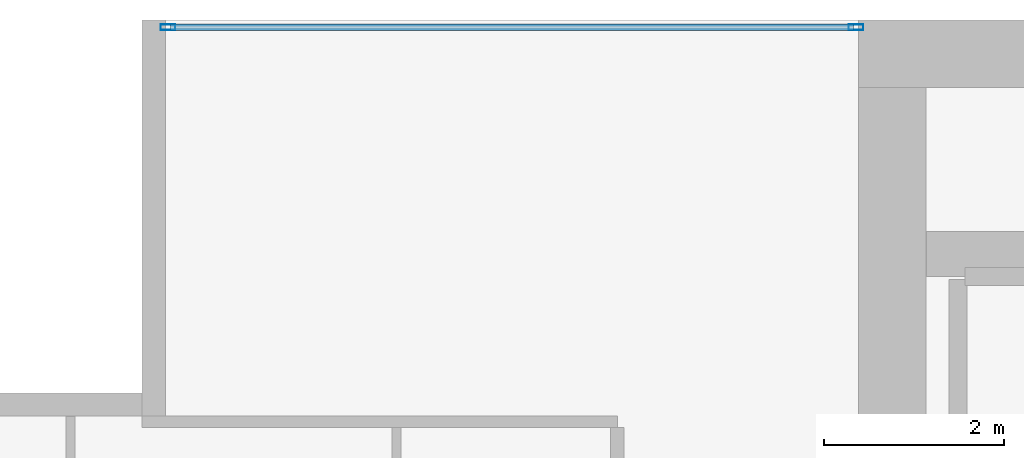
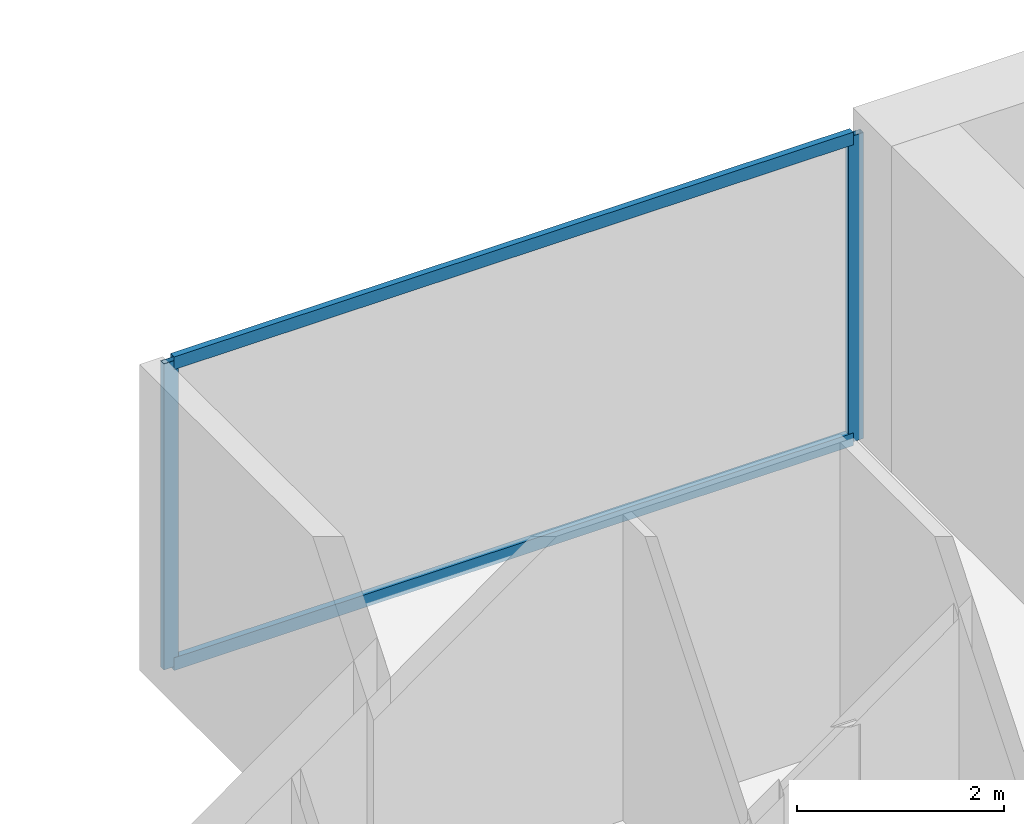
# One storey, part 22 of 33: 4 members, 1 element without a shape of its own.
"""IFC4 building model written with IfcOpenShell, lengths in metres."""

from ifc_helpers import new_model, si_unit, direction, frame, origin, origin_2d, place, context, subcontext, project, spatial, hollow_rectangle, extrude, material, layer, layer_set, material_profile, profile_set, type_object, element, aggregate, save


model = new_model("IFC4")

# Units and contexts
model_context = context("Model", 3, precision=1e-05, world=origin(), true_north=direction((0.0, 1.0)))
body_context = subcontext(model_context, "Body", "Model", "MODEL_VIEW")
ifc_project = project(units=[si_unit("LENGTHUNIT", "METRE"), si_unit("AREAUNIT", "SQUARE_METRE"), si_unit("VOLUMEUNIT", "CUBIC_METRE"), si_unit("PLANEANGLEUNIT", "RADIAN"), si_unit("MASSUNIT", "GRAM", prefix="KILO")], contexts=[model_context])

# Site, building, storey
site_placement = place(None, origin())
site = spatial("IfcSite", under=ifc_project, at=site_placement, CompositionType="ELEMENT")
building_placement = place(site_placement, origin())
building = spatial("IfcBuilding", under=site, at=building_placement, Name="Maruvema Waterfront Hotel and Observation Tower", CompositionType="ELEMENT")
storey_placement = place(building_placement, frame((0.0, 0.0, 200.550048828125)))
storey = spatial("IfcBuildingStorey", under=building, at=storey_placement, Name="L49", CompositionType="ELEMENT", Elevation=200.550048828125)

# Curtain wall, members
ifc_material_1 = material(Name="Anodised bronze aluminium and solar-control low-E IGU", Category="aluminium")
ifc_layer = layer(ifc_material_1, 0.159912109375, Name="Zone 2 Amber Inner Thermal Curtain Wall System CW-03")
ifc_layer_set = layer_set([ifc_layer], Name="Anodised bronze aluminium and solar-control low-E IGU")
curtain_wall_type = type_object("IfcCurtainWallType", Name="Zone 2 Amber Inner Thermal Curtain Wall System CW-03", PredefinedType="USERDEFINED", material=ifc_layer_set)
curtain_wall_placement = place(storey_placement, origin())
curtain_wall = element("IfcCurtainWall", 1, at=curtain_wall_placement, inside=storey, type_object=curtain_wall_type, Name="L49 Curtain Wall CW-L49-NW", ObjectType="UNITISED CURTAIN WALL", PredefinedType="USERDEFINED")
ifc_material_2 = material(Name="Anodised architectural bronze aluminium", Category="aluminium")
ifc_material_profile_1 = material_profile(ifc_material_2, hollow_rectangle(XDim=0.070068359375, YDim=0.14990234375, WallThickness=0.00390625, at=origin_2d()), Name="ALU-T70x150")
ifc_profile_set_1 = profile_set([ifc_material_profile_1], Name="Anodised architectural bronze aluminium")
member_type_1 = type_object("IfcMemberType", Name="Curtain Wall Horizontal Transom ALU-T70x150", PredefinedType="USERDEFINED", material=ifc_profile_set_1)
member_1_placement = place(storey_placement, frame((25.139892578125, 53.919921875, 0.030029296875), z_axis=(-1.0, 0.0, 0.0), x_axis=(0.0, -1.0, 0.0)))
member_1 = element("IfcMember", 2, at=member_1_placement, type_object=member_type_1, Name="CW-03 transom 1.1", ObjectType="TRANSOM", PredefinedType="USERDEFINED", context=body_context, shape_type="SweptSolid", body=[
    extrude(hollow_rectangle(XDim=0.070068359375, YDim=0.14990234375, WallThickness=0.00390625, at=origin_2d()), origin(), (0.0, 0.0, 1.0), 7.579833984375),
])
member_2_placement = place(storey_placement, frame((25.139892578125, 53.919921875, 3.579833984375), z_axis=(-1.0, 0.0, 0.0), x_axis=(0.0, -1.0, 0.0)))
member_2 = element("IfcMember", 3, at=member_2_placement, type_object=member_type_1, Name="CW-03 transom 1.2", ObjectType="TRANSOM", PredefinedType="USERDEFINED", context=body_context, shape_type="SweptSolid", body=[
    extrude(hollow_rectangle(XDim=0.070068359375, YDim=0.14990234375, WallThickness=0.00390625, at=origin_2d()), origin(), (0.0, 0.0, 1.0), 7.579833984375),
])
ifc_material_3 = material(Name="Anodised architectural bronze aluminium", Category="aluminium")
ifc_material_profile_2 = material_profile(ifc_material_3, hollow_rectangle(XDim=0.06494140625, YDim=0.1650390625, WallThickness=0.00390625, at=origin_2d()), Name="ALU-M65x165")
ifc_profile_set_2 = profile_set([ifc_material_profile_2], Name="Anodised architectural bronze aluminium")
member_type_2 = type_object("IfcMemberType", Name="Curtain Wall Primary Mullion ALU-M65x165", PredefinedType="MULLION", material=ifc_profile_set_2)
member_3_placement = place(storey_placement, frame((25.169921875, 53.919921875, 0.0), z_axis=(0.0, 0.0, 1.0), x_axis=(0.0, -1.0, 0.0)))
member_3 = element("IfcMember", 4, at=member_3_placement, type_object=member_type_2, Name="CW-03 mullion 1", PredefinedType="MULLION", context=body_context, shape_type="SweptSolid", body=[
    extrude(hollow_rectangle(XDim=0.06494140625, YDim=0.1650390625, WallThickness=0.00390625, at=origin_2d()), origin(), (0.0, 0.0, 1.0), 3.60986328125),
])
member_4_placement = place(storey_placement, frame((17.530029296875, 53.919921875, 0.0), z_axis=(0.0, 0.0, 1.0), x_axis=(0.0, -1.0, 0.0)))
member_4 = element("IfcMember", 5, at=member_4_placement, type_object=member_type_2, Name="CW-03 mullion 2", PredefinedType="MULLION", context=body_context, shape_type="SweptSolid", body=[
    extrude(hollow_rectangle(XDim=0.06494140625, YDim=0.1650390625, WallThickness=0.00390625, at=origin_2d()), origin(), (0.0, 0.0, 1.0), 3.60986328125),
])
aggregate(curtain_wall, [member_3, member_4, member_1, member_2])

save(model, "model.ifc")
